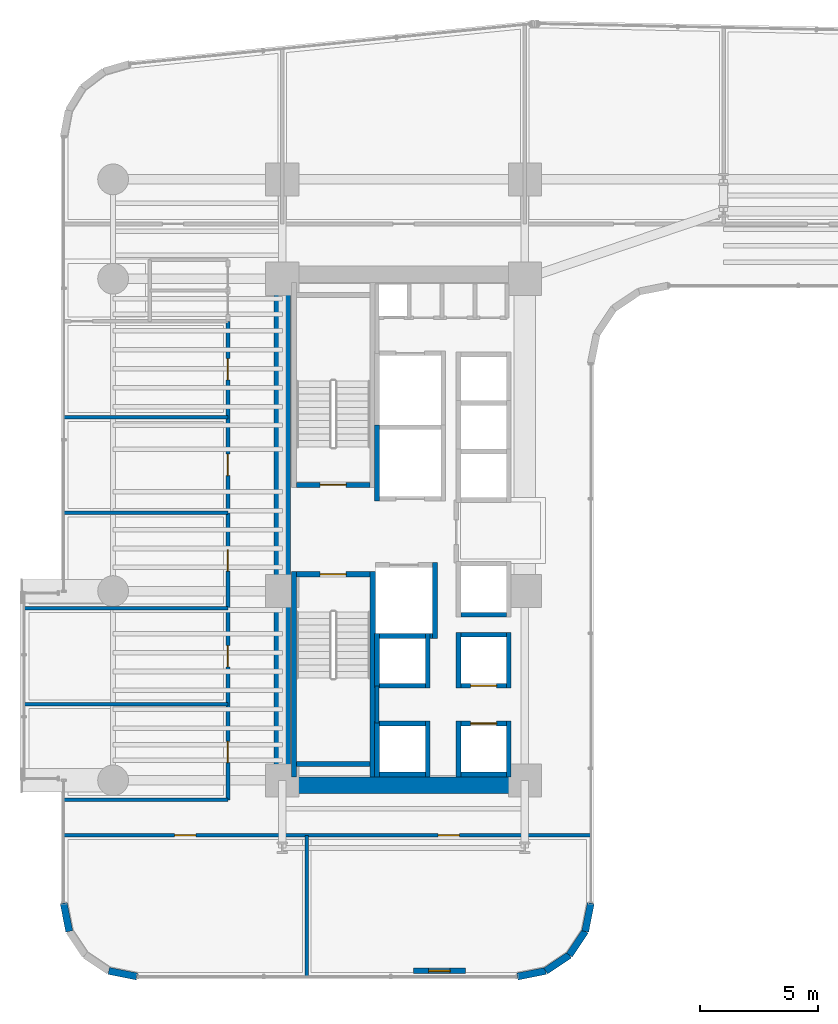
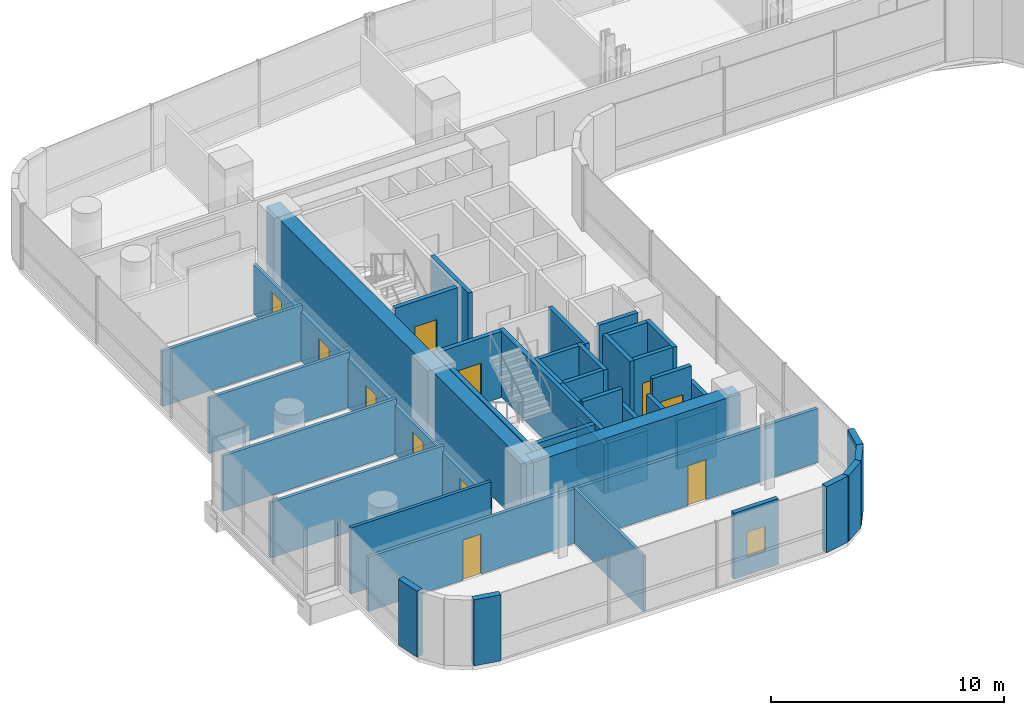
# One storey, part 30 of 39: 42 walls, 11 doors, 1 window, 12 openings.
"""IFC4 building model written with IfcOpenShell, lengths in metres."""

from ifc_helpers import new_model, si_unit, direction, frame, frame_2d, origin, place, context, subcontext, project, spatial, rectangle, extrude, material, layer, layer_set, type_object, element, fill, save


model = new_model("IFC4")

# Units and contexts
model_context = context("Model", 3, precision=1e-05, world=origin(), true_north=direction((0.0, 1.0)))
body_context = subcontext(model_context, "Body", "Model", "MODEL_VIEW")
ifc_project = project(units=[si_unit("LENGTHUNIT", "METRE"), si_unit("AREAUNIT", "SQUARE_METRE"), si_unit("VOLUMEUNIT", "CUBIC_METRE"), si_unit("PLANEANGLEUNIT", "RADIAN"), si_unit("MASSUNIT", "GRAM", prefix="KILO")], contexts=[model_context])

# Site, building, storey
site_placement = place(None, origin())
site = spatial("IfcSite", under=ifc_project, at=site_placement, CompositionType="ELEMENT")
building_placement = place(site_placement, origin())
building = spatial("IfcBuilding", under=site, at=building_placement, Name="Valdorenza Pilgrim Sanctuary Tower", CompositionType="ELEMENT")
storey_placement = place(building_placement, frame((0.0, 0.0, 33.39990234375)))
storey = spatial("IfcBuildingStorey", under=building, at=storey_placement, Name="L07", CompositionType="ELEMENT", Elevation=33.39990234375)

# Wall
ifc_material_1 = material(Name="Acoustic twin-stud gypsum partition", Category="gypsum")
ifc_layer_1 = layer(ifc_material_1, 0.159912109375, Name="Acoustic twin-stud gypsum partition")
ifc_layer_set_1 = layer_set([ifc_layer_1], Name="Acoustic twin-stud gypsum partition")
wall_type_1 = type_object("IfcWallType", Name="WAL-COR-160", PredefinedType="PARTITIONING", material=ifc_layer_set_1)
wall_1_placement = place(storey_placement, frame((-18.64990234375, -8.179931640625, 0.0), z_axis=(0.0, 0.0, 1.0), x_axis=(0.0, 1.0, 0.0)))
element("IfcWall", 1, at=wall_1_placement, inside=storey, type_object=wall_type_1, Name="L07 Core A South Lift Hall West Wall", PredefinedType="PARTITIONING", context=body_context, shape_type="SweptSolid", body=[
    extrude(rectangle(XDim=1.559814453125, YDim=0.159912109375, at=frame_2d((0.77978515625, 0.0))), origin(), (0.0, 0.0, 1.0), 3.460205078125),
])

# Wall, openings, doors
wall_2_placement = place(storey_placement, frame((-24.949951171875, -11.419921875, 0.0), z_axis=(0.0, 0.0, 1.0), x_axis=(0.0, 1.0, 0.0)))
wall_2 = element("IfcWall", 2, at=wall_2_placement, inside=storey, type_object=wall_type_1, Name="L07 West Wing Corridor Wall", PredefinedType="PARTITIONING", context=body_context, shape_type="SweptSolid", body=[
    extrude(rectangle(XDim=20.219970703125, YDim=0.159912109375, at=frame_2d((10.10986328125, 0.0))), origin(), (0.0, 0.0, 1.0), 2.5830078125),
])
opening_1_placement = place(wall_2_placement, frame((1.572021484375, 0.0, 0.0)))
opening_1 = element("IfcOpeningElement", 3, at=opening_1_placement, cuts=wall_2, Name="Opening DR-RM1", PredefinedType="OPENING", context=body_context, shape_type="SweptSolid", body=[
    extrude(rectangle(XDim=0.89990234375, YDim=2.10009765625, at=frame_2d((0.449951171875, 1.050048828125))), frame((0.0, 0.0947265625, 0.0), z_axis=(0.0, -1.0, 0.0), x_axis=(1.0, 0.0, 0.0)), (0.0, 0.0, 1.0), 0.189697265625),
])
opening_2_placement = place(wall_2_placement, frame((5.615966796875, 0.0, 0.0)))
opening_2 = element("IfcOpeningElement", 4, at=opening_2_placement, cuts=wall_2, Name="Opening DR-RM1", PredefinedType="OPENING", context=body_context, shape_type="SweptSolid", body=[
    extrude(rectangle(XDim=0.89990234375, YDim=2.10009765625, at=frame_2d((0.449951171875, 1.050048828125))), frame((0.0, 0.0947265625, 0.0), z_axis=(0.0, -1.0, 0.0), x_axis=(1.0, 0.0, 0.0)), (0.0, 0.0, 1.0), 0.189697265625),
])
opening_3_placement = place(wall_2_placement, frame((9.659912109375, 0.0, 0.0)))
opening_3 = element("IfcOpeningElement", 5, at=opening_3_placement, cuts=wall_2, Name="Opening DR-RM1", PredefinedType="OPENING", context=body_context, shape_type="SweptSolid", body=[
    extrude(rectangle(XDim=0.89990234375, YDim=2.10009765625, at=frame_2d((0.449951171875, 1.050048828125))), frame((0.0, 0.0947265625, 0.0), z_axis=(0.0, -1.0, 0.0), x_axis=(1.0, 0.0, 0.0)), (0.0, 0.0, 1.0), 0.189697265625),
])
opening_4_placement = place(wall_2_placement, frame((13.7041015625, 0.0, 0.0)))
opening_4 = element("IfcOpeningElement", 6, at=opening_4_placement, cuts=wall_2, Name="Opening DR-RM1", PredefinedType="OPENING", context=body_context, shape_type="SweptSolid", body=[
    extrude(rectangle(XDim=0.89990234375, YDim=2.10009765625, at=frame_2d((0.449951171875, 1.050048828125))), frame((0.0, 0.0947265625, 0.0), z_axis=(0.0, -1.0, 0.0), x_axis=(1.0, 0.0, 0.0)), (0.0, 0.0, 1.0), 0.189697265625),
])
opening_5_placement = place(wall_2_placement, frame((17.748046875, 0.0, 0.0)))
opening_5 = element("IfcOpeningElement", 7, at=opening_5_placement, cuts=wall_2, Name="Opening DR-RM1", PredefinedType="OPENING", context=body_context, shape_type="SweptSolid", body=[
    extrude(rectangle(XDim=0.89990234375, YDim=2.10009765625, at=frame_2d((0.449951171875, 1.050048828125))), frame((0.0, 0.0947265625, 0.0), z_axis=(0.0, -1.0, 0.0), x_axis=(1.0, 0.0, 0.0)), (0.0, 0.0, 1.0), 0.189697265625),
])
ifc_material_2 = material(Name="Solid-core European oak timber", Category="wood")
door_type_1 = type_object("IfcDoorType", Name="DR-ROOM-900", OperationType="NOTDEFINED", PredefinedType="DOOR", material=ifc_material_2)
door_1_placement = place(opening_1_placement, origin())
door_1 = element("IfcDoor", 8, at=door_1_placement, inside=storey, type_object=door_type_1, Name="L07 Pilgrim Scholar Office L07-W1 Door", OperationType="SINGLE_SWING_RIGHT", OverallHeight=2.10009765625, OverallWidth=0.89990234375, PredefinedType="DOOR", context=body_context, shape_type="SweptSolid", body=[
    extrude(rectangle(XDim=0.89990234375, YDim=2.10009765625, at=frame_2d((0.449951171875, 1.050048828125))), frame((0.0, 0.02490234375, 0.0), z_axis=(0.0, -1.0, 0.0), x_axis=(1.0, 0.0, 0.0)), (0.0, 0.0, 1.0), 0.050048828125),
])
fill(opening_1, door_1)
door_2_placement = place(opening_2_placement, frame((0.89990234375, 0.0, 0.0), z_axis=(0.0, 0.0, 1.0), x_axis=(-1.0, 0.0, 0.0)))
door_2 = element("IfcDoor", 9, at=door_2_placement, inside=storey, type_object=door_type_1, Name="L07 Pilgrim Scholar Office L07-W2 Door", OperationType="SINGLE_SWING_LEFT", OverallHeight=2.10009765625, OverallWidth=0.89990234375, PredefinedType="DOOR", context=body_context, shape_type="SweptSolid", body=[
    extrude(rectangle(XDim=0.89990234375, YDim=2.10009765625, at=frame_2d((0.449951171875, 1.050048828125))), frame((0.0, 0.02490234375, 0.0), z_axis=(0.0, -1.0, 0.0), x_axis=(1.0, 0.0, 0.0)), (0.0, 0.0, 1.0), 0.050048828125),
])
fill(opening_2, door_2)
door_3_placement = place(opening_3_placement, origin())
door_3 = element("IfcDoor", 10, at=door_3_placement, inside=storey, type_object=door_type_1, Name="L07 Pilgrim Scholar Office L07-W3 Door", OperationType="SINGLE_SWING_RIGHT", OverallHeight=2.10009765625, OverallWidth=0.89990234375, PredefinedType="DOOR", context=body_context, shape_type="SweptSolid", body=[
    extrude(rectangle(XDim=0.89990234375, YDim=2.10009765625, at=frame_2d((0.449951171875, 1.050048828125))), frame((0.0, 0.02490234375, 0.0), z_axis=(0.0, -1.0, 0.0), x_axis=(1.0, 0.0, 0.0)), (0.0, 0.0, 1.0), 0.050048828125),
])
fill(opening_3, door_3)
door_4_placement = place(opening_4_placement, frame((0.89990234375, 0.0, 0.0), z_axis=(0.0, 0.0, 1.0), x_axis=(-1.0, 0.0, 0.0)))
door_4 = element("IfcDoor", 11, at=door_4_placement, inside=storey, type_object=door_type_1, Name="L07 Pilgrim Scholar Office L07-W4 Door", OperationType="SINGLE_SWING_LEFT", OverallHeight=2.10009765625, OverallWidth=0.89990234375, PredefinedType="DOOR", context=body_context, shape_type="SweptSolid", body=[
    extrude(rectangle(XDim=0.89990234375, YDim=2.10009765625, at=frame_2d((0.449951171875, 1.050048828125))), frame((0.0, 0.02490234375, 0.0), z_axis=(0.0, -1.0, 0.0), x_axis=(1.0, 0.0, 0.0)), (0.0, 0.0, 1.0), 0.050048828125),
])
fill(opening_4, door_4)
door_5_placement = place(opening_5_placement, origin())
door_5 = element("IfcDoor", 12, at=door_5_placement, inside=storey, type_object=door_type_1, Name="L07 Pilgrim Scholar Office L07-W5 Door", OperationType="SINGLE_SWING_RIGHT", OverallHeight=2.10009765625, OverallWidth=0.89990234375, PredefinedType="DOOR", context=body_context, shape_type="SweptSolid", body=[
    extrude(rectangle(XDim=0.89990234375, YDim=2.10009765625, at=frame_2d((0.449951171875, 1.050048828125))), frame((0.0, 0.02490234375, 0.0), z_axis=(0.0, -1.0, 0.0), x_axis=(1.0, 0.0, 0.0)), (0.0, 0.0, 1.0), 0.050048828125),
])
fill(opening_5, door_5)

wall_3_placement = place(storey_placement, frame((-31.889892578125, -12.919921875, 0.0), z_axis=(0.0, 0.0, 1.0), x_axis=(1.0, 0.0, 0.0)))
wall_3 = element("IfcWall", 13, at=wall_3_placement, inside=storey, type_object=wall_type_1, Name="L07 South Wing Corridor Wall", PredefinedType="PARTITIONING", context=body_context, shape_type="SweptSolid", body=[
    extrude(rectangle(XDim=22.27978515625, YDim=0.159912109375, at=frame_2d((11.139892578125, 0.0))), origin(), (0.0, 0.0, 1.0), 2.833984375),
])
opening_6_placement = place(wall_3_placement, frame((4.68505859375, 0.0, 0.0)))
opening_6 = element("IfcOpeningElement", 14, at=opening_6_placement, cuts=wall_3, Name="Opening DR-RM1", PredefinedType="OPENING", context=body_context, shape_type="SweptSolid", body=[
    extrude(rectangle(XDim=0.89990234375, YDim=2.10009765625, at=frame_2d((0.449951171875, 1.050048828125))), frame((0.0, 0.0947265625, 0.0), z_axis=(0.0, -1.0, 0.0), x_axis=(1.0, 0.0, 0.0)), (0.0, 0.0, 1.0), 0.189697265625),
])
opening_7_placement = place(wall_3_placement, frame((15.824951171875, 0.0, 0.0)))
opening_7 = element("IfcOpeningElement", 15, at=opening_7_placement, cuts=wall_3, Name="Opening DR-RM1", PredefinedType="OPENING", context=body_context, shape_type="SweptSolid", body=[
    extrude(rectangle(XDim=0.89990234375, YDim=2.10009765625, at=frame_2d((0.449951171875, 1.050048828125))), frame((0.0, 0.0947265625, 0.0), z_axis=(0.0, -1.0, 0.0), x_axis=(1.0, 0.0, 0.0)), (0.0, 0.0, 1.0), 0.189697265625),
])
door_6_placement = place(opening_6_placement, frame((0.89990234375, 0.0, 0.0), z_axis=(0.0, 0.0, 1.0), x_axis=(-1.0, 0.0, 0.0)))
door_6 = element("IfcDoor", 16, at=door_6_placement, inside=storey, type_object=door_type_1, Name="L07 Pilgrim Scholar Office L07-S1 Door", OperationType="SINGLE_SWING_LEFT", OverallHeight=2.10009765625, OverallWidth=0.89990234375, PredefinedType="DOOR", context=body_context, shape_type="SweptSolid", body=[
    extrude(rectangle(XDim=0.89990234375, YDim=2.10009765625, at=frame_2d((0.449951171875, 1.050048828125))), frame((0.0, 0.02490234375, 0.0), z_axis=(0.0, -1.0, 0.0), x_axis=(1.0, 0.0, 0.0)), (0.0, 0.0, 1.0), 0.050048828125),
])
fill(opening_6, door_6)
door_7_placement = place(opening_7_placement, origin())
door_7 = element("IfcDoor", 17, at=door_7_placement, inside=storey, type_object=door_type_1, Name="L07 Pilgrim Scholar Office L07-S2 Door", OperationType="SINGLE_SWING_RIGHT", OverallHeight=2.10009765625, OverallWidth=0.89990234375, PredefinedType="DOOR", context=body_context, shape_type="SweptSolid", body=[
    extrude(rectangle(XDim=0.89990234375, YDim=2.10009765625, at=frame_2d((0.449951171875, 1.050048828125))), frame((0.0, 0.02490234375, 0.0), z_axis=(0.0, -1.0, 0.0), x_axis=(1.0, 0.0, 0.0)), (0.0, 0.0, 1.0), 0.050048828125),
])
fill(opening_7, door_7)

# Walls
wall_4_placement = place(storey_placement, frame((-31.889892578125, -11.419921875, 0.0), z_axis=(0.0, 0.0, 1.0), x_axis=(1.0, 0.0, 0.0)))
element("IfcWall", 18, at=wall_4_placement, inside=storey, type_object=wall_type_1, Name="L07 South-West Corridor North Wall", PredefinedType="PARTITIONING", context=body_context, shape_type="SweptSolid", body=[
    extrude(rectangle(XDim=6.93994140625, YDim=0.159912109375, at=frame_2d((3.469970703125, 0.0))), origin(), (0.0, 0.0, 1.0), 3.460205078125),
])
ifc_material_3 = material(Name="Concrete C60/75", Category="concrete")
ifc_layer_2 = layer(ifc_material_3, 0.699951171875, Name="Concrete C60/75")
ifc_layer_set_2 = layer_set([ifc_layer_2], Name="Concrete C60/75")
wall_type_2 = type_object("IfcWallType", Name="WAL-COR-700", PredefinedType="SHEAR", material=ifc_layer_set_2)
wall_5_placement = place(storey_placement, frame((-22.64990234375, -11.14990234375, 0.0), z_axis=(0.0, 0.0, 1.0), x_axis=(0.0, 1.0, 0.0)))
element("IfcWall", 19, at=wall_5_placement, inside=storey, type_object=wall_type_2, Name="L07 Split Core A Shear Wall W", PredefinedType="SHEAR", context=body_context, shape_type="SweptSolid", body=[
    extrude(rectangle(XDim=22.2998046875, YDim=0.699951171875, at=frame_2d((11.14990234375, 0.0))), origin(), (0.0, 0.0, 1.0), 3.460205078125),
])
wall_6_placement = place(storey_placement, frame((-22.64990234375, -10.800048828125, 0.0), z_axis=(0.0, 0.0, 1.0), x_axis=(1.0, 0.0, 0.0)))
element("IfcWall", 20, at=wall_6_placement, inside=storey, type_object=wall_type_2, Name="L07 Split Core A Shear Wall S", PredefinedType="SHEAR", context=body_context, shape_type="SweptSolid", body=[
    extrude(rectangle(XDim=10.25, YDim=0.699951171875, at=frame_2d((5.125, 0.0))), origin(), (0.0, 0.0, 1.0), 3.460205078125),
])
ifc_material_4 = material(Name="Honed travertine limestone", Category="masonry")
ifc_layer_3 = layer(ifc_material_4, 0.300048828125, Name="Honed travertine limestone")
ifc_layer_set_3 = layer_set([ifc_layer_3], Name="Honed travertine limestone")
wall_type_3 = type_object("IfcWallType", Name="WAL-EXT-300", PredefinedType="SOLIDWALL", material=ifc_layer_set_3)
wall_7_placement = place(storey_placement, frame((-9.610107421875, -15.789306640625, 0.0), z_axis=(0.0, 0.0, 1.0), x_axis=(-0.194996050505, -0.980804027463, 0.0)))
element("IfcWall", 21, at=wall_7_placement, inside=storey, type_object=wall_type_3, Name="L07 Rounded Wind-Corner Stone Pier 42", PredefinedType="SOLIDWALL", context=body_context, shape_type="SweptSolid", body=[
    extrude(rectangle(XDim=1.2158203125, YDim=0.300048828125, at=frame_2d((0.60791015625, 0.0))), origin(), (0.0, 0.0, 1.0), 3.460205078125),
])
for number, where, z_axis, x_axis, name in (
    (22, (-9.84716796875, -16.981689453125, 0.0), (0.0, 0.0, 1.0), (-0.555635100982, -0.831426265255, 0.0), "L07 Rounded Wind-Corner Stone Pier 43"),
    (23, (-10.5166015625, -17.9833984375, 0.0), (0.0, 0.0, 1.0), (-0.831426265255, -0.555635100982, 0.0), "L07 Rounded Wind-Corner Stone Pier 44"),
):
    element("IfcWall", number, at=place(storey_placement, frame(where, z_axis=z_axis, x_axis=x_axis)), inside=storey, type_object=wall_type_3, Name=name, PredefinedType="SOLIDWALL", context=body_context, shape_type="SweptSolid", body=[
        extrude(rectangle(XDim=1.204833984375, YDim=0.300048828125, at=frame_2d((0.6025390625, 0.0))), origin(), (0.0, 0.0, 1.0), 3.460205078125),
    ])
wall_8_placement = place(storey_placement, frame((-11.518310546875, -18.65283203125, 0.0), z_axis=(0.0, 0.0, 1.0), x_axis=(-0.980804027463, -0.194996050505, 0.0)))
element("IfcWall", 24, at=wall_8_placement, inside=storey, type_object=wall_type_3, Name="L07 Rounded Wind-Corner Stone Pier 45", PredefinedType="SOLIDWALL", context=body_context, shape_type="SweptSolid", body=[
    extrude(rectangle(XDim=1.2158203125, YDim=0.300048828125, at=frame_2d((0.60791015625, 0.0))), origin(), (0.0, 0.0, 1.0), 3.460205078125),
])

# Wall, opening, window
wall_9_placement = place(storey_placement, frame((-14.910888671875, -18.64990234375, 0.0), z_axis=(0.0, 0.0, 1.0), x_axis=(-1.0, 0.0, 0.0)))
wall_9 = element("IfcWall", 25, at=wall_9_placement, inside=storey, type_object=wall_type_3, Name="L07 Operable Ventilation Sash Jamb Pier", PredefinedType="SOLIDWALL", context=body_context, shape_type="SweptSolid", body=[
    extrude(rectangle(XDim=2.199951171875, YDim=0.219970703125, at=frame_2d((1.10009765625, 0.0))), origin(), (0.0, 0.0, 1.0), 3.460205078125),
])
opening_8_placement = place(wall_9_placement, frame((0.64990234375, 0.0, 0.949951171875)))
opening_8 = element("IfcOpeningElement", 26, at=opening_8_placement, cuts=wall_9, Name="Opening WN-OP1", PredefinedType="OPENING", context=body_context, shape_type="SweptSolid", body=[
    extrude(rectangle(XDim=0.89990234375, YDim=1.300048828125, at=frame_2d((0.449951171875, 0.64990234375))), frame((0.0, 0.125, 0.0), z_axis=(0.0, -1.0, 0.0), x_axis=(1.0, 0.0, 0.0)), (0.0, 0.0, 1.0), 0.249755859375),
])
ifc_material_5 = material(Name="Ceramic-fritted low-E IGU glazing", Category="glass")
window_type = type_object("IfcWindowType", Name="WIN-OPN-900", PartitioningType="SINGLE_PANEL", PredefinedType="WINDOW", material=ifc_material_5)
window_placement = place(opening_8_placement, origin())
window = element("IfcWindow", 27, at=window_placement, inside=storey, type_object=window_type, Name="L07 Parallel-Pop-Out Operable Facade Panel", OverallHeight=1.300048828125, OverallWidth=0.89990234375, PartitioningType="SINGLE_PANEL", PredefinedType="WINDOW", context=body_context, shape_type="SweptSolid", body=[
    extrude(rectangle(XDim=0.89990234375, YDim=1.300048828125, at=frame_2d((0.449951171875, 0.64990234375))), frame((0.0, 0.030029296875, 0.0), z_axis=(0.0, -1.0, 0.0), x_axis=(1.0, 0.0, 0.0)), (0.0, 0.0, 1.0), 0.06005859375),
])
fill(opening_8, window)

# Walls
for number, where, z_axis, x_axis, name in (
    (28, (-28.789306640625, -18.889892578125, 0.0), (0.0, 0.0, 1.0), (-0.980804027463, 0.194996050505, 0.0), "L07 Rounded Wind-Corner Stone Pier 47"),
    (29, (-31.65283203125, -16.981689453125, 0.0), (0.0, 0.0, 1.0), (-0.194996050505, 0.980804027463, 0.0), "L07 Rounded Wind-Corner Stone Pier 50"),
):
    element("IfcWall", number, at=place(storey_placement, frame(where, z_axis=z_axis, x_axis=x_axis)), inside=storey, type_object=wall_type_3, Name=name, PredefinedType="SOLIDWALL", context=body_context, shape_type="SweptSolid", body=[
        extrude(rectangle(XDim=1.2158203125, YDim=0.300048828125, at=frame_2d((0.60791015625, 0.0))), origin(), (0.0, 0.0, 1.0), 3.460205078125),
    ])
ifc_material_6 = material(Name="Autoclaved aerated concrete blockwork", Category="masonry")
ifc_layer_4 = layer(ifc_material_6, 0.199951171875, Name="Autoclaved aerated concrete blockwork")
ifc_layer_set_4 = layer_set([ifc_layer_4], Name="Autoclaved aerated concrete blockwork")
wall_type_4 = type_object("IfcWallType", Name="WAL-SHF-200", PredefinedType="MOVABLE", material=ifc_layer_set_4)
wall_10_placement = place(storey_placement, frame((-18.64990234375, 1.199951171875, 0.0), z_axis=(0.0, 0.0, 1.0), x_axis=(0.0, 1.0, 0.0)))
element("IfcWall", 30, at=wall_10_placement, inside=storey, type_object=wall_type_4, Name="L07 Lift FFL-01 Hoistway Wall West", PredefinedType="MOVABLE", context=body_context, shape_type="SweptSolid", body=[
    extrude(rectangle(XDim=3.22509765625, YDim=0.199951171875, at=frame_2d((1.612548828125, 0.0))), origin(), (0.0, 0.0, 1.0), 3.460205078125),
])
wall_11_placement = place(storey_placement, frame((-16.199951171875, -4.60009765625, 0.0), z_axis=(0.0, 0.0, 1.0), x_axis=(0.0, 1.0, 0.0)))
element("IfcWall", 31, at=wall_11_placement, inside=storey, type_object=wall_type_4, Name="L07 Lift FFL-02 Hoistway Wall East", PredefinedType="MOVABLE", context=body_context, shape_type="SweptSolid", body=[
    extrude(rectangle(XDim=3.2001953125, YDim=0.199951171875, at=frame_2d((1.60009765625, 0.0))), origin(), (0.0, 0.0, 1.0), 3.460205078125),
])
wall_12_placement = place(storey_placement, frame((-18.719970703125, -4.5, 0.0), z_axis=(0.0, 0.0, 1.0), x_axis=(1.0, 0.0, 0.0)))
element("IfcWall", 32, at=wall_12_placement, inside=storey, type_object=wall_type_4, Name="L07 Lift FFL-02 Hoistway Wall South", PredefinedType="MOVABLE", context=body_context, shape_type="SweptSolid", body=[
    extrude(rectangle(XDim=2.419921875, YDim=0.199951171875, at=frame_2d((1.2099609375, 0.0))), origin(), (0.0, 0.0, 1.0), 3.460205078125),
])
for number, where, z_axis, x_axis, name in (
    (33, (-15.199951171875, -10.449951171875, 0.0), (0.0, 0.0, 1.0), (0.0, 1.0, 0.0), "L07 Lift PL-01 Hoistway Wall West"),
    (34, (-13.080078125, -10.449951171875, 0.0), (0.0, 0.0, 1.0), (0.0, 1.0, 0.0), "L07 Lift PL-01 Hoistway Wall East"),
):
    element("IfcWall", number, at=place(storey_placement, frame(where, z_axis=z_axis, x_axis=x_axis)), inside=storey, type_object=wall_type_4, Name=name, PredefinedType="MOVABLE", context=body_context, shape_type="SweptSolid", body=[
        extrude(rectangle(XDim=2.349853515625, YDim=0.199951171875, at=frame_2d((1.1748046875, 0.0))), origin(), (0.0, 0.0, 1.0), 2.5830078125),
    ])
wall_13_placement = place(storey_placement, frame((-15.10009765625, -10.35009765625, 0.0), z_axis=(0.0, 0.0, 1.0), x_axis=(1.0, 0.0, 0.0)))
element("IfcWall", 35, at=wall_13_placement, inside=storey, type_object=wall_type_4, Name="L07 Lift PL-01 Hoistway Wall South", PredefinedType="MOVABLE", context=body_context, shape_type="SweptSolid", body=[
    extrude(rectangle(XDim=1.920166015625, YDim=0.199951171875, at=frame_2d((0.9599609375, 0.0))), origin(), (0.0, 0.0, 1.0), 2.5830078125),
])

# Wall, opening, door
wall_14_placement = place(storey_placement, frame((-15.10009765625, -8.199951171875, 0.0), z_axis=(0.0, 0.0, 1.0), x_axis=(1.0, 0.0, 0.0)))
wall_14 = element("IfcWall", 36, at=wall_14_placement, inside=storey, type_object=wall_type_4, Name="L07 Lift PL-01 Hoistway Wall North", PredefinedType="MOVABLE", context=body_context, shape_type="SweptSolid", body=[
    extrude(rectangle(XDim=1.920166015625, YDim=0.199951171875, at=frame_2d((0.9599609375, 0.0))), origin(), (0.0, 0.0, 1.0), 3.460205078125),
])
opening_9_placement = place(wall_14_placement, frame((0.409912109375, 0.0, 0.0)))
opening_9 = element("IfcOpeningElement", 37, at=opening_9_placement, cuts=wall_14, Name="Opening LD-01", PredefinedType="OPENING", context=body_context, shape_type="SweptSolid", body=[
    extrude(rectangle(XDim=1.10009765625, YDim=2.10009765625, at=frame_2d((0.550048828125, 1.050048828125))), frame((0.0, 0.11474609375, 0.0), z_axis=(0.0, -1.0, 0.0), x_axis=(1.0, 0.0, 0.0)), (0.0, 0.0, 1.0), 0.229736328125),
])
ifc_material_7 = material(Name="Brushed stainless steel Grade 316", Category="steel")
door_type_2 = type_object("IfcDoorType", Name="DR-LFT-1100", OperationType="DOUBLE_DOOR_SLIDING", PredefinedType="DOOR", material=ifc_material_7)
door_8_placement = place(opening_9_placement, origin())
door_8 = element("IfcDoor", 38, at=door_8_placement, inside=storey, type_object=door_type_2, Name="L07 Lift PL-01 Sliding Landing Door", OperationType="DOUBLE_DOOR_SLIDING", OverallHeight=2.10009765625, OverallWidth=1.10009765625, PredefinedType="DOOR", context=body_context, shape_type="SweptSolid", body=[
    extrude(rectangle(XDim=1.10009765625, YDim=2.10009765625, at=frame_2d((0.550048828125, 1.050048828125))), frame((0.0, 0.02490234375, 0.0), z_axis=(0.0, -1.0, 0.0), x_axis=(1.0, 0.0, 0.0)), (0.0, 0.0, 1.0), 0.050048828125),
])
fill(opening_9, door_8)

# Walls
for number, where, z_axis, x_axis, name in (
    (39, (-15.199951171875, -6.699951171875, 0.0), (0.0, 0.0, 1.0), (0.0, 1.0, 0.0), "L07 Lift PL-02 Hoistway Wall West"),
    (40, (-13.080078125, -6.699951171875, 0.0), (0.0, 0.0, 1.0), (0.0, 1.0, 0.0), "L07 Lift PL-02 Hoistway Wall East"),
):
    element("IfcWall", number, at=place(storey_placement, frame(where, z_axis=z_axis, x_axis=x_axis)), inside=storey, type_object=wall_type_4, Name=name, PredefinedType="MOVABLE", context=body_context, shape_type="SweptSolid", body=[
        extrude(rectangle(XDim=2.349853515625, YDim=0.199951171875, at=frame_2d((1.1748046875, 0.0))), origin(), (0.0, 0.0, 1.0), 3.460205078125),
    ])

# Wall, opening, door
wall_15_placement = place(storey_placement, frame((-15.10009765625, -6.60009765625, 0.0), z_axis=(0.0, 0.0, 1.0), x_axis=(1.0, 0.0, 0.0)))
wall_15 = element("IfcWall", 41, at=wall_15_placement, inside=storey, type_object=wall_type_4, Name="L07 Lift PL-02 Hoistway Wall South", PredefinedType="MOVABLE", context=body_context, shape_type="SweptSolid", body=[
    extrude(rectangle(XDim=1.920166015625, YDim=0.199951171875, at=frame_2d((0.9599609375, 0.0))), origin(), (0.0, 0.0, 1.0), 3.460205078125),
])
opening_10_placement = place(wall_15_placement, frame((0.409912109375, 0.0, 0.0)))
opening_10 = element("IfcOpeningElement", 42, at=opening_10_placement, cuts=wall_15, Name="Opening LD-01", PredefinedType="OPENING", context=body_context, shape_type="SweptSolid", body=[
    extrude(rectangle(XDim=1.10009765625, YDim=2.10009765625, at=frame_2d((0.550048828125, 1.050048828125))), frame((0.0, 0.11474609375, 0.0), z_axis=(0.0, -1.0, 0.0), x_axis=(1.0, 0.0, 0.0)), (0.0, 0.0, 1.0), 0.229736328125),
])
door_9_placement = place(opening_10_placement, origin())
door_9 = element("IfcDoor", 43, at=door_9_placement, inside=storey, type_object=door_type_2, Name="L07 Lift PL-02 Sliding Landing Door", OperationType="DOUBLE_DOOR_SLIDING", OverallHeight=2.10009765625, OverallWidth=1.10009765625, PredefinedType="DOOR", context=body_context, shape_type="SweptSolid", body=[
    extrude(rectangle(XDim=1.10009765625, YDim=2.10009765625, at=frame_2d((0.550048828125, 1.050048828125))), frame((0.0, 0.02490234375, 0.0), z_axis=(0.0, -1.0, 0.0), x_axis=(1.0, 0.0, 0.0)), (0.0, 0.0, 1.0), 0.050048828125),
])
fill(opening_10, door_9)

# Walls
wall_16_placement = place(storey_placement, frame((-15.10009765625, -4.449951171875, 0.0), z_axis=(0.0, 0.0, 1.0), x_axis=(1.0, 0.0, 0.0)))
element("IfcWall", 44, at=wall_16_placement, inside=storey, type_object=wall_type_4, Name="L07 Lift PL-02 Hoistway Wall North", PredefinedType="MOVABLE", context=body_context, shape_type="SweptSolid", body=[
    extrude(rectangle(XDim=1.920166015625, YDim=0.199951171875, at=frame_2d((0.9599609375, 0.0))), origin(), (0.0, 0.0, 1.0), 3.460205078125),
])
for number, where, z_axis, x_axis, name in (
    (45, (-18.64990234375, -10.449951171875, 0.0), (0.0, 0.0, 1.0), (0.0, 1.0, 0.0), "L07 Lift PL-05 Hoistway Wall West"),
    (46, (-16.5, -10.449951171875, 0.0), (0.0, 0.0, 1.0), (0.0, 1.0, 0.0), "L07 Lift PL-05 Hoistway Wall East"),
):
    element("IfcWall", number, at=place(storey_placement, frame(where, z_axis=z_axis, x_axis=x_axis)), inside=storey, type_object=wall_type_4, Name=name, PredefinedType="MOVABLE", context=body_context, shape_type="SweptSolid", body=[
        extrude(rectangle(XDim=2.349853515625, YDim=0.199951171875, at=frame_2d((1.1748046875, 0.0))), origin(), (0.0, 0.0, 1.0), 2.5830078125),
    ])
wall_17_placement = place(storey_placement, frame((-18.550048828125, -10.35009765625, 0.0), z_axis=(0.0, 0.0, 1.0), x_axis=(1.0, 0.0, 0.0)))
element("IfcWall", 47, at=wall_17_placement, inside=storey, type_object=wall_type_4, Name="L07 Lift PL-05 Hoistway Wall South", PredefinedType="MOVABLE", context=body_context, shape_type="SweptSolid", body=[
    extrude(rectangle(XDim=1.949951171875, YDim=0.199951171875, at=frame_2d((0.97509765625, 0.0))), origin(), (0.0, 0.0, 1.0), 2.5830078125),
])
wall_18_placement = place(storey_placement, frame((-18.550048828125, -8.199951171875, 0.0), z_axis=(0.0, 0.0, 1.0), x_axis=(1.0, 0.0, 0.0)))
element("IfcWall", 48, at=wall_18_placement, inside=storey, type_object=wall_type_4, Name="L07 Lift PL-05 Hoistway Wall North", PredefinedType="MOVABLE", context=body_context, shape_type="SweptSolid", body=[
    extrude(rectangle(XDim=1.949951171875, YDim=0.199951171875, at=frame_2d((0.97509765625, 0.0))), origin(), (0.0, 0.0, 1.0), 3.460205078125),
])
for number, where, z_axis, x_axis, name in (
    (49, (-18.64990234375, -6.699951171875, 0.0), (0.0, 0.0, 1.0), (0.0, 1.0, 0.0), "L07 Lift PL-11 Hoistway Wall West"),
    (50, (-16.5, -6.699951171875, 0.0), (0.0, 0.0, 1.0), (0.0, 1.0, 0.0), "L07 Lift PL-11 Hoistway Wall East"),
):
    element("IfcWall", number, at=place(storey_placement, frame(where, z_axis=z_axis, x_axis=x_axis)), inside=storey, type_object=wall_type_4, Name=name, PredefinedType="MOVABLE", context=body_context, shape_type="SweptSolid", body=[
        extrude(rectangle(XDim=2.300048828125, YDim=0.199951171875, at=frame_2d((1.14990234375, 0.0))), origin(), (0.0, 0.0, 1.0), 3.460205078125),
    ])
wall_19_placement = place(storey_placement, frame((-18.550048828125, -6.60009765625, 0.0), z_axis=(0.0, 0.0, 1.0), x_axis=(1.0, 0.0, 0.0)))
element("IfcWall", 51, at=wall_19_placement, inside=storey, type_object=wall_type_4, Name="L07 Lift PL-11 Hoistway Wall South", PredefinedType="MOVABLE", context=body_context, shape_type="SweptSolid", body=[
    extrude(rectangle(XDim=1.949951171875, YDim=0.199951171875, at=frame_2d((0.97509765625, 0.0))), origin(), (0.0, 0.0, 1.0), 3.460205078125),
])
wall_20_placement = place(storey_placement, frame((-15.10009765625, -3.60009765625, 0.0), z_axis=(0.0, 0.0, 1.0), x_axis=(1.0, 0.0, 0.0)))
element("IfcWall", 52, at=wall_20_placement, inside=storey, type_object=wall_type_4, Name="L07 Lift PL-12 Hoistway Wall South", PredefinedType="MOVABLE", context=body_context, shape_type="SweptSolid", body=[
    extrude(rectangle(XDim=1.920166015625, YDim=0.199951171875, at=frame_2d((0.9599609375, 0.0))), origin(), (0.0, 0.0, 1.0), 3.460205078125),
])

# Wall, opening, door
ifc_material_8 = material(Name="Concrete C40/50", Category="concrete")
ifc_layer_5 = layer(ifc_material_8, 0.219970703125, Name="Concrete C40/50")
ifc_layer_set_5 = layer_set([ifc_layer_5], Name="Concrete C40/50")
wall_type_5 = type_object("IfcWallType", Name="WAL-STR-SHF-220", PredefinedType="SHEAR", material=ifc_layer_set_5)
wall_21_placement = place(storey_placement, frame((-22.050048828125, 1.889892578125, 0.0), z_axis=(0.0, 0.0, 1.0), x_axis=(1.0, 0.0, 0.0)))
wall_21 = element("IfcWall", 53, at=wall_21_placement, inside=storey, type_object=wall_type_5, Name="L07 ST-A1 Structural Stairwell Wall S", PredefinedType="SHEAR", context=body_context, shape_type="SweptSolid", body=[
    extrude(rectangle(XDim=3.110107421875, YDim=0.219970703125, at=frame_2d((1.55517578125, 0.0))), origin(), (0.0, 0.0, 1.0), 3.460205078125),
])
opening_11_placement = place(wall_21_placement, frame((1.0, 0.0, 0.0)))
opening_11 = element("IfcOpeningElement", 54, at=opening_11_placement, cuts=wall_21, Name="Opening DR-ST1", PredefinedType="OPENING", context=body_context, shape_type="SweptSolid", body=[
    extrude(rectangle(XDim=1.10009765625, YDim=2.14990234375, at=frame_2d((0.550048828125, 1.074951171875))), frame((0.0, 0.125, 0.0), z_axis=(0.0, -1.0, 0.0), x_axis=(1.0, 0.0, 0.0)), (0.0, 0.0, 1.0), 0.249755859375),
])
ifc_material_9 = material(Name="Painted galvanized steel", Category="steel")
door_type_3 = type_object("IfcDoorType", Name="DR-STAIR-1100", OperationType="NOTDEFINED", PredefinedType="DOOR", material=ifc_material_9)
door_10_placement = place(opening_11_placement, frame((1.10009765625, 0.0, 0.0), z_axis=(0.0, 0.0, 1.0), x_axis=(-1.0, 0.0, 0.0)))
door_10 = element("IfcDoor", 55, at=door_10_placement, inside=storey, type_object=door_type_3, Name="L07 Exit Stair ST-A1 Door", OperationType="SINGLE_SWING_LEFT", OverallHeight=2.14990234375, OverallWidth=1.10009765625, PredefinedType="DOOR", context=body_context, shape_type="SweptSolid", body=[
    extrude(rectangle(XDim=1.10009765625, YDim=2.14990234375, at=frame_2d((0.550048828125, 1.074951171875))), frame((0.0, 0.02490234375, 0.0), z_axis=(0.0, -1.0, 0.0), x_axis=(1.0, 0.0, 0.0)), (0.0, 0.0, 1.0), 0.050048828125),
])
fill(opening_11, door_10)

# Walls
for number, where, z_axis, x_axis, name in (
    (56, (-22.159912109375, -10.449951171875, 0.0), (0.0, 0.0, 1.0), (0.0, 1.0, 0.0), "L07 ST-A2 Structural Stairwell Wall W"),
    (57, (-18.830078125, -10.449951171875, 0.0), (0.0, 0.0, 1.0), (0.0, 1.0, 0.0), "L07 ST-A2 Structural Stairwell Wall E"),
):
    element("IfcWall", number, at=place(storey_placement, frame(where, z_axis=z_axis, x_axis=x_axis)), inside=storey, type_object=wall_type_5, Name=name, PredefinedType="SHEAR", context=body_context, shape_type="SweptSolid", body=[
        extrude(rectangle(XDim=8.669921875, YDim=0.219970703125, at=frame_2d((4.3349609375, 0.0))), origin(), (0.0, 0.0, 1.0), 3.460205078125),
    ])
wall_22_placement = place(storey_placement, frame((-22.050048828125, -9.909912109375, 0.0), z_axis=(0.0, 0.0, 1.0), x_axis=(1.0, 0.0, 0.0)))
element("IfcWall", 58, at=wall_22_placement, inside=storey, type_object=wall_type_5, Name="L07 ST-A2 Structural Stairwell Wall S", PredefinedType="SHEAR", context=body_context, shape_type="SweptSolid", body=[
    extrude(rectangle(XDim=3.110107421875, YDim=0.219970703125, at=frame_2d((1.55517578125, 0.0))), origin(), (0.0, 0.0, 1.0), 3.460205078125),
])

# Wall, opening, door
wall_23_placement = place(storey_placement, frame((-22.050048828125, -1.889892578125, 0.0), z_axis=(0.0, 0.0, 1.0), x_axis=(1.0, 0.0, 0.0)))
wall_23 = element("IfcWall", 59, at=wall_23_placement, inside=storey, type_object=wall_type_5, Name="L07 ST-A2 Structural Stairwell Wall N", PredefinedType="SHEAR", context=body_context, shape_type="SweptSolid", body=[
    extrude(rectangle(XDim=3.110107421875, YDim=0.219970703125, at=frame_2d((1.55517578125, 0.0))), origin(), (0.0, 0.0, 1.0), 3.460205078125),
])
opening_12_placement = place(wall_23_placement, frame((1.0, 0.0, 0.0)))
opening_12 = element("IfcOpeningElement", 60, at=opening_12_placement, cuts=wall_23, Name="Opening DR-ST1", PredefinedType="OPENING", context=body_context, shape_type="SweptSolid", body=[
    extrude(rectangle(XDim=1.10009765625, YDim=2.14990234375, at=frame_2d((0.550048828125, 1.074951171875))), frame((0.0, 0.125, 0.0), z_axis=(0.0, -1.0, 0.0), x_axis=(1.0, 0.0, 0.0)), (0.0, 0.0, 1.0), 0.249755859375),
])
door_11_placement = place(opening_12_placement, origin())
door_11 = element("IfcDoor", 61, at=door_11_placement, inside=storey, type_object=door_type_3, Name="L07 Exit Stair ST-A2 Door", OperationType="SINGLE_SWING_RIGHT", OverallHeight=2.14990234375, OverallWidth=1.10009765625, PredefinedType="DOOR", context=body_context, shape_type="SweptSolid", body=[
    extrude(rectangle(XDim=1.10009765625, YDim=2.14990234375, at=frame_2d((0.550048828125, 1.074951171875))), frame((0.0, 0.02490234375, 0.0), z_axis=(0.0, -1.0, 0.0), x_axis=(1.0, 0.0, 0.0)), (0.0, 0.0, 1.0), 0.050048828125),
])
fill(opening_12, door_11)

# Walls
ifc_layer_6 = layer(ifc_material_1, 0.14990234375, Name="Acoustic twin-stud gypsum partition")
ifc_layer_set_6 = layer_set([ifc_layer_6], Name="Acoustic twin-stud gypsum partition")
wall_type_6 = type_object("IfcWallType", Name="WAL-UNT-150", PredefinedType="PARTITIONING", material=ifc_layer_set_6)
for number, where, z_axis, x_axis, name in (
    (62, (-33.5400390625, -7.3759765625, 0.0), (0.0, 0.0, 1.0), (1.0, 0.0, 0.0), "L07 Pilgrim Scholar Office L07-W2 Demising Wall"),
    (63, (-33.5400390625, -3.33203125, 0.0), (0.0, 0.0, 1.0), (1.0, 0.0, 0.0), "L07 Pilgrim Scholar Office L07-W3 Demising Wall"),
):
    element("IfcWall", number, at=place(storey_placement, frame(where, z_axis=z_axis, x_axis=x_axis)), inside=storey, type_object=wall_type_6, Name=name, PredefinedType="PARTITIONING", context=body_context, shape_type="SweptSolid", body=[
        extrude(rectangle(XDim=8.590087890625, YDim=0.14990234375, at=frame_2d((4.294921875, 0.0))), origin(), (0.0, 0.0, 1.0), 2.89599609375),
    ])
for number, where, z_axis, x_axis, name in (
    (64, (-31.889892578125, 0.7119140625, 0.0), (0.0, 0.0, 1.0), (1.0, 0.0, 0.0), "L07 Pilgrim Scholar Office L07-W4 Demising Wall"),
    (65, (-31.889892578125, 4.756103515625, 0.0), (0.0, 0.0, 1.0), (1.0, 0.0, 0.0), "L07 Pilgrim Scholar Office L07-W5 Demising Wall"),
):
    element("IfcWall", number, at=place(storey_placement, frame(where, z_axis=z_axis, x_axis=x_axis)), inside=storey, type_object=wall_type_6, Name=name, PredefinedType="PARTITIONING", context=body_context, shape_type="SweptSolid", body=[
        extrude(rectangle(XDim=6.93994140625, YDim=0.14990234375, at=frame_2d((3.469970703125, 0.0))), origin(), (0.0, 0.0, 1.0), 2.89599609375),
    ])
wall_24_placement = place(storey_placement, frame((-21.6201171875, -18.889892578125, 0.0), z_axis=(0.0, 0.0, 1.0), x_axis=(0.0, 1.0, 0.0)))
element("IfcWall", 66, at=wall_24_placement, inside=storey, type_object=wall_type_6, Name="L07 Pilgrim Scholar Office L07-S2 Demising Wall", PredefinedType="PARTITIONING", context=body_context, shape_type="SweptSolid", body=[
    extrude(rectangle(XDim=5.969970703125, YDim=0.14990234375, at=frame_2d((2.98486328125, 0.0))), origin(), (0.0, 0.0, 1.0), 2.89599609375),
])

save(model, "model.ifc")
